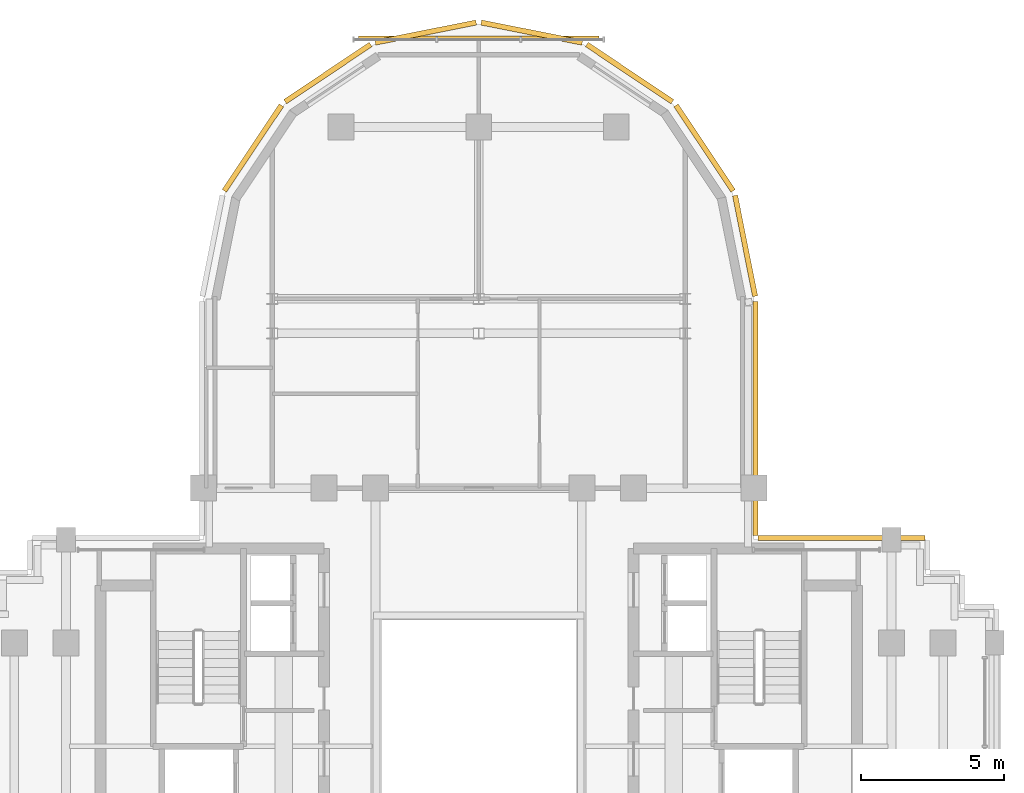
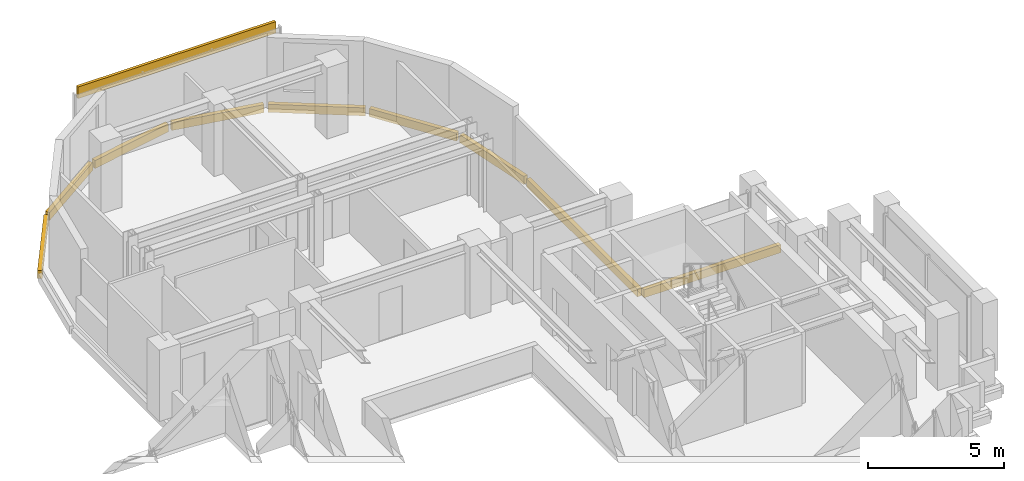
# One storey, part 11 of 11: 10 coverings.
"""IFC4 building model written with IfcOpenShell, lengths in metres."""

from ifc_helpers import new_model, si_unit, direction, frame, origin, origin_2d, place, context, subcontext, project, spatial, rectangle, extrude, source, transform, mapped, material, layer, layer_set, type_object, element, save


model = new_model("IFC4")

# Units and contexts
model_context = context("Model", 3, precision=1e-05, world=origin(), true_north=direction((0.0, 1.0)))
body_context = subcontext(model_context, "Body", "Model", "MODEL_VIEW")
ifc_project = project(units=[si_unit("LENGTHUNIT", "METRE"), si_unit("AREAUNIT", "SQUARE_METRE"), si_unit("VOLUMEUNIT", "CUBIC_METRE"), si_unit("PLANEANGLEUNIT", "RADIAN"), si_unit("MASSUNIT", "GRAM", prefix="KILO")], contexts=[model_context])

# Site, building, storey
site_placement = place(None, origin())
site = spatial("IfcSite", under=ifc_project, at=site_placement, CompositionType="ELEMENT")
building_placement = place(site_placement, origin())
building = spatial("IfcBuilding", under=site, at=building_placement, Name="Keilestroom Media Tower", CompositionType="ELEMENT")
storey_placement = place(building_placement, frame((0.0, 0.0, 208.0)))
storey = spatial("IfcBuildingStorey", under=building, at=storey_placement, Name="L57", CompositionType="ELEMENT", Elevation=208.0)

# Coverings
ifc_material = material(Name="Precast concrete C40/50", Category="concrete")
ifc_layer = layer(ifc_material, 0.1201171875)
ifc_layer_set = layer_set([ifc_layer], Name="Precast concrete C40/50")
covering_type = type_object("IfcCoveringType", Name="Exterior-Precast-Spandrel-Cladding-Panel-120", PredefinedType="CLADDING", material=ifc_layer_set)
shared_shape_1 = source(origin(), body_context, "Body", "SweptSolid", [
    extrude(rectangle(XDim=8.39990234375, YDim=0.1201171875, at=origin_2d()), origin(), (0.0, 0.0, 1.0), 0.52001953125),
])
covering_1_placement = place(storey_placement, frame((0.0, 24.719970703125, 2.68994140625), z_axis=(0.0, 0.0, 1.0), x_axis=(1.0, 0.0, 0.0)))
element("IfcCovering", 1, at=covering_1_placement, inside=storey, type_object=covering_type, Name="L57 Precast Spandrel Cladding N", PredefinedType="CLADDING", context=body_context, shape_type="MappedRepresentation", body=[
    mapped(shared_shape_1, transform((0.0, 0.0, 0.0), x_axis=(1.0, 0.0, 0.0), y_axis=(0.0, 1.0, 0.0), z_axis=(0.0, 0.0, 1.0), scale=1.0)),
])
shared_shape_2 = source(origin(), body_context, "Body", "SweptSolid", [
    extrude(rectangle(XDim=8.166015625, YDim=0.179931640625, at=origin_2d()), origin(), (0.0, 0.0, 1.0), 0.360107421875),
])
covering_2_placement = place(storey_placement, frame((9.659912109375, 11.43310546875, -0.5400390625), z_axis=(0.0, 0.0, 1.0), x_axis=(0.0, -1.0, 0.0)))
element("IfcCovering", 2, at=covering_2_placement, inside=storey, type_object=covering_type, Name="L57 Precast Slab-Edge Fascia Cornice 36", PredefinedType="CLADDING", context=body_context, shape_type="MappedRepresentation", body=[
    mapped(shared_shape_2, transform((0.0, 0.0, 0.0), x_axis=(1.0, 0.0, 0.0), y_axis=(0.0, 1.0, 0.0), z_axis=(0.0, 0.0, 1.0), scale=1.0)),
])
shared_shape_3 = source(origin(), body_context, "Body", "SweptSolid", [
    extrude(rectangle(XDim=3.58349609375, YDim=0.179931640625, at=origin_2d()), origin(), (0.0, 0.0, 1.0), 0.360107421875),
])
covering_3_placement = place(storey_placement, frame((9.29296875, 17.45166015625, -0.5400390625), z_axis=(0.0, 0.0, 1.0), x_axis=(0.195098880975, -0.980783577882, 0.0)))
element("IfcCovering", 3, at=covering_3_placement, inside=storey, type_object=covering_type, Name="L57 Precast Slab-Edge Fascia Cornice 35", PredefinedType="CLADDING", context=body_context, shape_type="MappedRepresentation", body=[
    mapped(shared_shape_3, transform((0.0, 0.0, 0.0), x_axis=(1.0, 0.0, 0.0), y_axis=(0.0, 1.0, 0.0), z_axis=(0.0, 0.0, 1.0), scale=1.0)),
])
shared_shape_4 = source(origin(), body_context, "Body", "SweptSolid", [
    extrude(rectangle(XDim=3.589599609375, YDim=0.179931640625, at=origin_2d()), origin(), (0.0, 0.0, 1.0), 0.360107421875),
])
for number, where, z_axis, x_axis, name in (
    (4, (-7.878662109375, 20.8642578125, -0.5400390625), (0.0, 0.0, 1.0), (0.555574586577, 0.831466703332, 0.0), "L57 Precast Slab-Edge Fascia Cornice 29"),
    (5, (-5.264404296875, 23.478515625, -0.5400390625), (0.0, 0.0, 1.0), (0.831466703332, 0.555574586577, 0.0), "L57 Precast Slab-Edge Fascia Cornice 30"),
    (6, (-1.8486328125, 24.893310546875, -0.5400390625), (0.0, 0.0, 1.0), (0.980783577882, 0.195098880975, 0.0), "L57 Precast Slab-Edge Fascia Cornice 31"),
    (7, (1.8486328125, 24.893310546875, -0.5400390625), (0.0, 0.0, 1.0), (0.980783577882, -0.195098880975, 0.0), "L57 Precast Slab-Edge Fascia Cornice 32"),
    (8, (5.264404296875, 23.478515625, -0.5400390625), (0.0, 0.0, 1.0), (0.831466703332, -0.555574586577, 0.0), "L57 Precast Slab-Edge Fascia Cornice 33"),
    (9, (7.878662109375, 20.8642578125, -0.5400390625), (0.0, 0.0, 1.0), (0.555574586577, -0.831466703332, 0.0), "L57 Precast Slab-Edge Fascia Cornice 34"),
):
    element("IfcCovering", number, at=place(storey_placement, frame(where, z_axis=z_axis, x_axis=x_axis)), inside=storey, type_object=covering_type, Name=name, PredefinedType="CLADDING", context=body_context, shape_type="MappedRepresentation", body=[
        mapped(shared_shape_4, transform((0.0, 0.0, 0.0), x_axis=(1.0, 0.0, 0.0), y_axis=(0.0, 1.0, 0.0), z_axis=(0.0, 0.0, 1.0), scale=1.0)),
    ])
shared_shape_5 = source(origin(), body_context, "Body", "SweptSolid", [
    extrude(rectangle(XDim=5.820068359375, YDim=0.179931640625, at=origin_2d()), origin(), (0.0, 0.0, 1.0), 0.360107421875),
])
covering_4_placement = place(storey_placement, frame((12.659912109375, 7.260009765625, -0.5400390625), z_axis=(0.0, 0.0, 1.0), x_axis=(1.0, 0.0, 0.0)))
element("IfcCovering", 10, at=covering_4_placement, inside=storey, type_object=covering_type, Name="L57 Precast Slab-Edge Fascia Cornice 37", PredefinedType="CLADDING", context=body_context, shape_type="MappedRepresentation", body=[
    mapped(shared_shape_5, transform((0.0, 0.0, 0.0), x_axis=(1.0, 0.0, 0.0), y_axis=(0.0, 1.0, 0.0), z_axis=(0.0, 0.0, 1.0), scale=1.0)),
])

save(model, "model.ifc")
